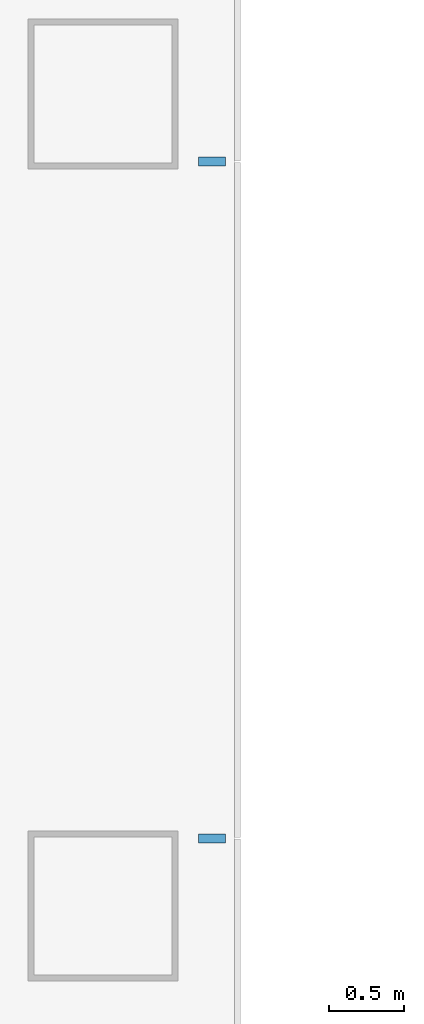
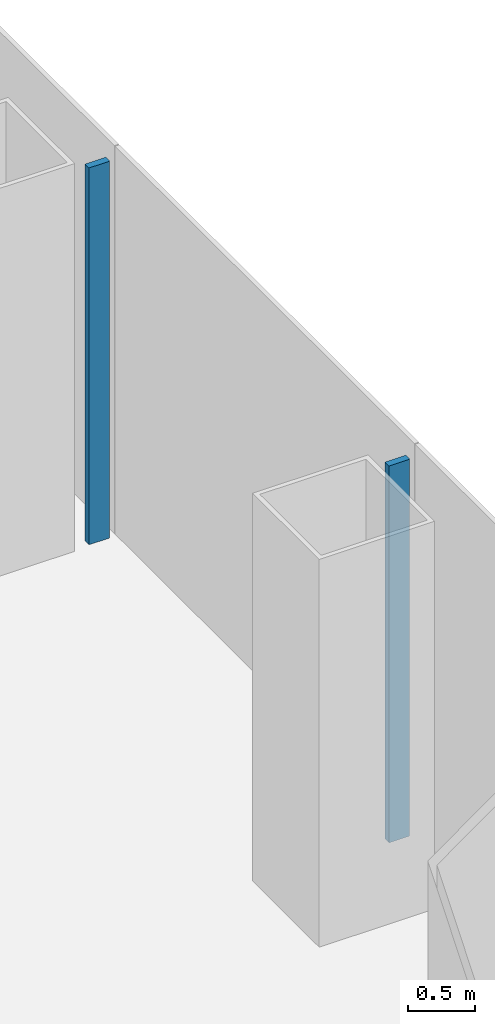
# One storey, part 4 of 21: 2 members, 1 element without a shape of its own.
"""IFC4 building model written with IfcOpenShell, lengths in metres."""

from ifc_helpers import new_model, si_unit, direction, frame, origin, origin_2d, place, context, subcontext, project, spatial, rectangle, extrude, material, layer, layer_set, material_profile, profile_set, type_object, element, aggregate, save


model = new_model("IFC4")

# Units and contexts
model_context = context("Model", 3, precision=1e-05, world=origin(), true_north=direction((0.0, 1.0)))
body_context = subcontext(model_context, "Body", "Model", "MODEL_VIEW")
ifc_project = project(units=[si_unit("LENGTHUNIT", "METRE"), si_unit("AREAUNIT", "SQUARE_METRE"), si_unit("VOLUMEUNIT", "CUBIC_METRE"), si_unit("PLANEANGLEUNIT", "RADIAN"), si_unit("MASSUNIT", "GRAM", prefix="KILO")], contexts=[model_context])

# Site, building, storey
site_placement = place(None, origin())
site = spatial("IfcSite", under=ifc_project, at=site_placement, CompositionType="ELEMENT")
building_placement = place(site_placement, origin())
building = spatial("IfcBuilding", under=site, at=building_placement, Name="Shamsa Quay Exchange Towers", CompositionType="ELEMENT")
storey_placement = place(building_placement, frame((0.0, 0.0, 45.89990234375)))
storey = spatial("IfcBuildingStorey", under=building, at=storey_placement, Name="L09", CompositionType="ELEMENT", Elevation=45.89990234375)

# Curtain wall, members
ifc_material = material(Name="Aluminium EN AW-6063 T6, black anodised", Category="aluminium")
ifc_layer = layer(ifc_material, 0.280029296875)
ifc_layer_set = layer_set([ifc_layer], Name="CW-1 UNITISED VISION GLASS")
curtain_wall_type = type_object("IfcCurtainWallType", Name="CW-1 UNITISED VISION GLASS", PredefinedType="NOTDEFINED", material=ifc_layer_set)
curtain_wall_placement = place(storey_placement, origin())
curtain_wall = element("IfcCurtainWall", 1, at=curtain_wall_placement, inside=storey, type_object=curtain_wall_type, Name="CW1 T1-END-U+ L09", PredefinedType="NOTDEFINED")
ifc_material_profile = material_profile(ifc_material, rectangle(XDim=0.179931640625, YDim=0.06005859375, at=origin_2d()), Name="MU60x180")
ifc_profile_set = profile_set([ifc_material_profile], Name="Aluminium EN AW-6063 T6, black anodised")
member_type = type_object("IfcMemberType", Name="CW1 MULLION 60x180", PredefinedType="MULLION", material=ifc_profile_set)
member_1_placement = place(storey_placement, frame((-4.64990234375, -2.25, 0.0), z_axis=(0.0, 0.0, 1.0), x_axis=(-1.0, 0.0, 0.0)))
member_1 = element("IfcMember", 2, at=member_1_placement, type_object=member_type, Name="CW1 mullion", PredefinedType="MULLION", context=body_context, shape_type="SweptSolid", body=[
    extrude(rectangle(XDim=0.179931640625, YDim=0.06005859375, at=origin_2d()), origin(), (0.0, 0.0, 1.0), 3.4501953125),
])
member_2_placement = place(storey_placement, frame((-4.64990234375, 2.25, 0.0), z_axis=(0.0, 0.0, 1.0), x_axis=(-1.0, 0.0, 0.0)))
member_2 = element("IfcMember", 3, at=member_2_placement, type_object=member_type, Name="CW1 mullion", PredefinedType="MULLION", context=body_context, shape_type="SweptSolid", body=[
    extrude(rectangle(XDim=0.179931640625, YDim=0.06005859375, at=origin_2d()), origin(), (0.0, 0.0, 1.0), 3.4501953125),
])
aggregate(curtain_wall, [member_1, member_2])

save(model, "model.ifc")
